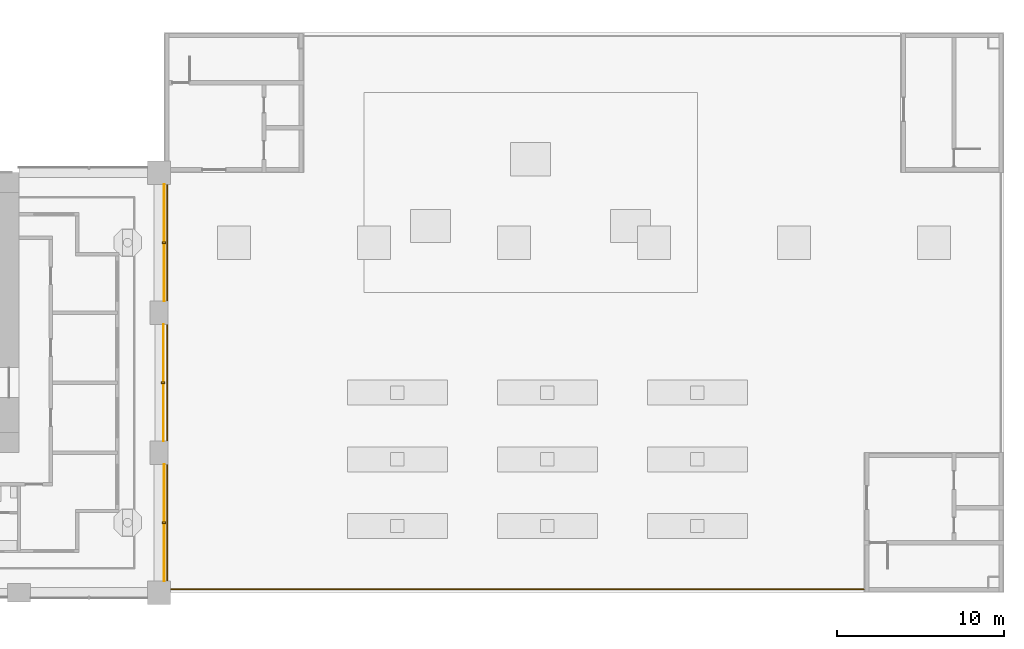
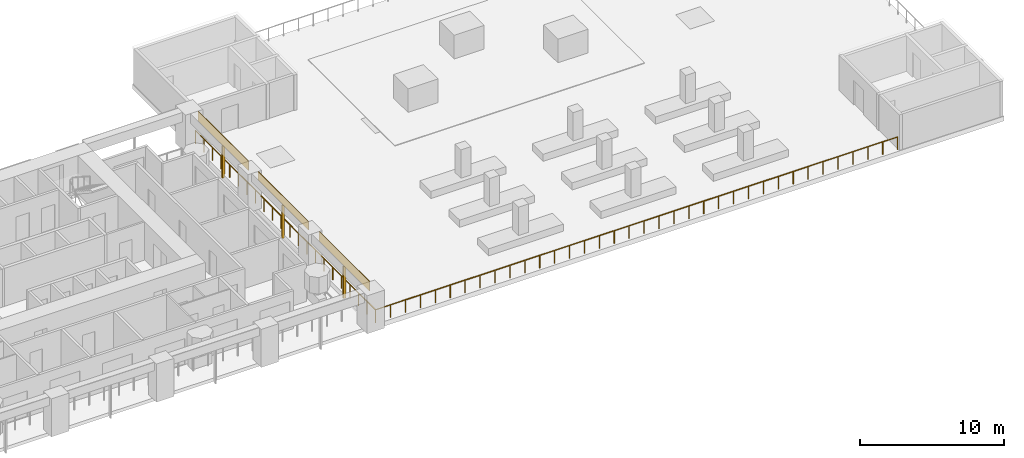
# One storey, part 19 of 23: 6 shading devices, 1 railing.
"""IFC4 building model written with IfcOpenShell, lengths in metres."""

from ifc_helpers import new_model, si_unit, direction, frame, origin, origin_2d, place, context, subcontext, project, spatial, rectangle, circle, extrude, material, layer, layer_set, material_profile, profile_set, type_object, element, save


model = new_model("IFC4")

# Units and contexts
model_context = context("Model", 3, precision=1e-05, world=origin(), true_north=direction((0.0, 1.0)))
body_context = subcontext(model_context, "Body", "Model", "MODEL_VIEW")
ifc_project = project(units=[si_unit("LENGTHUNIT", "METRE"), si_unit("AREAUNIT", "SQUARE_METRE"), si_unit("VOLUMEUNIT", "CUBIC_METRE"), si_unit("PLANEANGLEUNIT", "RADIAN"), si_unit("MASSUNIT", "GRAM", prefix="KILO")], contexts=[model_context])

# Site, building, storey
site_placement = place(None, origin())
site = spatial("IfcSite", under=ifc_project, at=site_placement, CompositionType="ELEMENT")
building_placement = place(site_placement, origin())
building = spatial("IfcBuilding", under=site, at=building_placement, Name="Vermilion Gate Residences", CompositionType="ELEMENT")
storey_placement = place(building_placement, frame((0.0, 0.0, 25.199951171875)))
storey = spatial("IfcBuildingStorey", under=building, at=storey_placement, Name="L04", CompositionType="ELEMENT", Elevation=25.199951171875)

# Shading devices
ifc_material_1 = material(Name="Perforated terracotta", Category="masonry")
ifc_layer = layer(ifc_material_1, 0.0400390625)
ifc_layer_set = layer_set([ifc_layer], Name="PERFORATED TERRACOTTA SCREEN 40")
shading_device_type_1 = type_object("IfcShadingDeviceType", Name="PERFORATED TERRACOTTA SCREEN 40", PredefinedType="SHUTTER", material=ifc_layer_set)
shading_device_1_placement = place(storey_placement, frame((67.52001953125, 4.199951171875, 2.419921875), z_axis=(0.0, 0.0, 1.0), x_axis=(0.0, 1.0, 0.0)))
element("IfcShadingDevice", 1, at=shading_device_1_placement, inside=storey, type_object=shading_device_type_1, Name="SCREEN", PredefinedType="SHUTTER", context=body_context, shape_type="SweptSolid", body=[
    extrude(rectangle(XDim=7.0, YDim=0.0400390625, at=origin_2d()), origin(), (0.0, 0.0, 1.0), 0.800048828125),
])
shading_device_2_placement = place(storey_placement, frame((67.469970703125, 12.60009765625, 2.52001953125), z_axis=(0.0, 0.0, 1.0), x_axis=(0.0, 1.0, 0.0)))
element("IfcShadingDevice", 2, at=shading_device_2_placement, inside=storey, type_object=shading_device_type_1, Name="SCREEN", PredefinedType="SHUTTER", context=body_context, shape_type="SweptSolid", body=[
    extrude(rectangle(XDim=7.0, YDim=0.0400390625, at=origin_2d()), origin(), (0.0, 0.0, 1.0), 0.699951171875),
])
shading_device_3_placement = place(storey_placement, frame((67.52001953125, 21.0, 2.419921875), z_axis=(0.0, 0.0, 1.0), x_axis=(0.0, 1.0, 0.0)))
element("IfcShadingDevice", 3, at=shading_device_3_placement, inside=storey, type_object=shading_device_type_1, Name="SCREEN", PredefinedType="SHUTTER", context=body_context, shape_type="SweptSolid", body=[
    extrude(rectangle(XDim=7.0, YDim=0.0400390625, at=origin_2d()), origin(), (0.0, 0.0, 1.0), 0.800048828125),
])

# Railing
ifc_material_2 = material(Name="Steel", Category="steel")
railing_type = type_object("IfcRailingType", Name="STEEL GUARD 1100 (MARKET HALL)", PredefinedType="GUARDRAIL", material=ifc_material_2)
railing_placement = place(storey_placement, frame((109.5, 0.199951171875, 0.0)))
element("IfcRailing", 4, at=railing_placement, inside=storey, type_object=railing_type, Name="Roof terrace guard 1", PredefinedType="GUARDRAIL", context=body_context, shape_type="SweptSolid", body=[
    extrude(circle(Radius=0.02490234375, at=origin_2d()), frame((0.0, 0.0, 1.0751953125), z_axis=(-1.0, 0.0, 0.0), x_axis=(0.0, -1.0, 0.0)), (0.0, 0.0, 1.0), 41.800048828125),
    extrude(circle(Radius=0.02490234375, at=origin_2d()), frame((-41.800048828125, 0.0, 1.0751953125), z_axis=(0.0, 1.0, 0.0), x_axis=(-1.0, 0.0, 0.0)), (0.0, 0.0, 1.0), 25.0),
    extrude(circle(Radius=0.02001953125, at=origin_2d()), origin(), (0.0, 0.0, 1.0), 1.050048828125),
    extrude(circle(Radius=0.02001953125, at=origin_2d()), frame((-1.1943359375, 0.0, 0.0)), (0.0, 0.0, 1.0), 1.050048828125),
    extrude(circle(Radius=0.02001953125, at=origin_2d()), frame((-2.388671875, 0.0, 0.0)), (0.0, 0.0, 1.0), 1.050048828125),
    extrude(circle(Radius=0.02001953125, at=origin_2d()), frame((-3.582763671875, 0.0, 0.0)), (0.0, 0.0, 1.0), 1.050048828125),
    extrude(circle(Radius=0.02001953125, at=origin_2d()), frame((-4.777099609375, 0.0, 0.0)), (0.0, 0.0, 1.0), 1.050048828125),
    extrude(circle(Radius=0.02001953125, at=origin_2d()), frame((-5.971435546875, 0.0, 0.0)), (0.0, 0.0, 1.0), 1.050048828125),
    extrude(circle(Radius=0.02001953125, at=origin_2d()), frame((-7.165771484375, 0.0, 0.0)), (0.0, 0.0, 1.0), 1.050048828125),
    extrude(circle(Radius=0.02001953125, at=origin_2d()), frame((-8.360107421875, 0.0, 0.0)), (0.0, 0.0, 1.0), 1.050048828125),
    extrude(circle(Radius=0.02001953125, at=origin_2d()), frame((-9.55419921875, 0.0, 0.0)), (0.0, 0.0, 1.0), 1.050048828125),
    extrude(circle(Radius=0.02001953125, at=origin_2d()), frame((-10.74853515625, 0.0, 0.0)), (0.0, 0.0, 1.0), 1.050048828125),
    extrude(circle(Radius=0.02001953125, at=origin_2d()), frame((-11.94287109375, 0.0, 0.0)), (0.0, 0.0, 1.0), 1.050048828125),
    extrude(circle(Radius=0.02001953125, at=origin_2d()), frame((-13.13720703125, 0.0, 0.0)), (0.0, 0.0, 1.0), 1.050048828125),
    extrude(circle(Radius=0.02001953125, at=origin_2d()), frame((-14.33154296875, 0.0, 0.0)), (0.0, 0.0, 1.0), 1.050048828125),
    extrude(circle(Radius=0.02001953125, at=origin_2d()), frame((-15.525634765625, 0.0, 0.0)), (0.0, 0.0, 1.0), 1.050048828125),
    extrude(circle(Radius=0.02001953125, at=origin_2d()), frame((-16.719970703125, 0.0, 0.0)), (0.0, 0.0, 1.0), 1.050048828125),
    extrude(circle(Radius=0.02001953125, at=origin_2d()), frame((-17.914306640625, 0.0, 0.0)), (0.0, 0.0, 1.0), 1.050048828125),
    extrude(circle(Radius=0.02001953125, at=origin_2d()), frame((-19.108642578125, 0.0, 0.0)), (0.0, 0.0, 1.0), 1.050048828125),
    extrude(circle(Radius=0.02001953125, at=origin_2d()), frame((-20.302978515625, 0.0, 0.0)), (0.0, 0.0, 1.0), 1.050048828125),
    extrude(circle(Radius=0.02001953125, at=origin_2d()), frame((-21.4970703125, 0.0, 0.0)), (0.0, 0.0, 1.0), 1.050048828125),
    extrude(circle(Radius=0.02001953125, at=origin_2d()), frame((-22.69140625, 0.0, 0.0)), (0.0, 0.0, 1.0), 1.050048828125),
    extrude(circle(Radius=0.02001953125, at=origin_2d()), frame((-23.8857421875, 0.0, 0.0)), (0.0, 0.0, 1.0), 1.050048828125),
    extrude(circle(Radius=0.02001953125, at=origin_2d()), frame((-25.080078125, 0.0, 0.0)), (0.0, 0.0, 1.0), 1.050048828125),
    extrude(circle(Radius=0.02001953125, at=origin_2d()), frame((-26.2744140625, 0.0, 0.0)), (0.0, 0.0, 1.0), 1.050048828125),
    extrude(circle(Radius=0.02001953125, at=origin_2d()), frame((-27.468505859375, 0.0, 0.0)), (0.0, 0.0, 1.0), 1.050048828125),
    extrude(circle(Radius=0.02001953125, at=origin_2d()), frame((-28.662841796875, 0.0, 0.0)), (0.0, 0.0, 1.0), 1.050048828125),
    extrude(circle(Radius=0.02001953125, at=origin_2d()), frame((-29.857177734375, 0.0, 0.0)), (0.0, 0.0, 1.0), 1.050048828125),
    extrude(circle(Radius=0.02001953125, at=origin_2d()), frame((-31.051513671875, 0.0, 0.0)), (0.0, 0.0, 1.0), 1.050048828125),
    extrude(circle(Radius=0.02001953125, at=origin_2d()), frame((-32.245849609375, 0.0, 0.0)), (0.0, 0.0, 1.0), 1.050048828125),
    extrude(circle(Radius=0.02001953125, at=origin_2d()), frame((-33.43994140625, 0.0, 0.0)), (0.0, 0.0, 1.0), 1.050048828125),
    extrude(circle(Radius=0.02001953125, at=origin_2d()), frame((-34.63427734375, 0.0, 0.0)), (0.0, 0.0, 1.0), 1.050048828125),
    extrude(circle(Radius=0.02001953125, at=origin_2d()), frame((-35.82861328125, 0.0, 0.0)), (0.0, 0.0, 1.0), 1.050048828125),
    extrude(circle(Radius=0.02001953125, at=origin_2d()), frame((-37.02294921875, 0.0, 0.0)), (0.0, 0.0, 1.0), 1.050048828125),
    extrude(circle(Radius=0.02001953125, at=origin_2d()), frame((-38.21728515625, 0.0, 0.0)), (0.0, 0.0, 1.0), 1.050048828125),
    extrude(circle(Radius=0.02001953125, at=origin_2d()), frame((-39.411376953125, 0.0, 0.0)), (0.0, 0.0, 1.0), 1.050048828125),
    extrude(circle(Radius=0.02001953125, at=origin_2d()), frame((-40.605712890625, 0.0, 0.0)), (0.0, 0.0, 1.0), 1.050048828125),
    extrude(circle(Radius=0.02001953125, at=origin_2d()), frame((-41.800048828125, 0.0, 0.0)), (0.0, 0.0, 1.0), 1.050048828125),
    extrude(circle(Radius=0.02001953125, at=origin_2d()), frame((-41.800048828125, 1.1904296875, 0.0)), (0.0, 0.0, 1.0), 1.050048828125),
    extrude(circle(Radius=0.02001953125, at=origin_2d()), frame((-41.800048828125, 2.380859375, 0.0)), (0.0, 0.0, 1.0), 1.050048828125),
    extrude(circle(Radius=0.02001953125, at=origin_2d()), frame((-41.800048828125, 3.571533203125, 0.0)), (0.0, 0.0, 1.0), 1.050048828125),
    extrude(circle(Radius=0.02001953125, at=origin_2d()), frame((-41.800048828125, 4.761962890625, 0.0)), (0.0, 0.0, 1.0), 1.050048828125),
    extrude(circle(Radius=0.02001953125, at=origin_2d()), frame((-41.800048828125, 5.952392578125, 0.0)), (0.0, 0.0, 1.0), 1.050048828125),
    extrude(circle(Radius=0.02001953125, at=origin_2d()), frame((-41.800048828125, 7.142822265625, 0.0)), (0.0, 0.0, 1.0), 1.050048828125),
    extrude(circle(Radius=0.02001953125, at=origin_2d()), frame((-41.800048828125, 8.333251953125, 0.0)), (0.0, 0.0, 1.0), 1.050048828125),
    extrude(circle(Radius=0.02001953125, at=origin_2d()), frame((-41.800048828125, 9.52392578125, 0.0)), (0.0, 0.0, 1.0), 1.050048828125),
    extrude(circle(Radius=0.02001953125, at=origin_2d()), frame((-41.800048828125, 10.71435546875, 0.0)), (0.0, 0.0, 1.0), 1.050048828125),
    extrude(circle(Radius=0.02001953125, at=origin_2d()), frame((-41.800048828125, 11.90478515625, 0.0)), (0.0, 0.0, 1.0), 1.050048828125),
    extrude(circle(Radius=0.02001953125, at=origin_2d()), frame((-41.800048828125, 13.09521484375, 0.0)), (0.0, 0.0, 1.0), 1.050048828125),
    extrude(circle(Radius=0.02001953125, at=origin_2d()), frame((-41.800048828125, 14.28564453125, 0.0)), (0.0, 0.0, 1.0), 1.050048828125),
    extrude(circle(Radius=0.02001953125, at=origin_2d()), frame((-41.800048828125, 15.47607421875, 0.0)), (0.0, 0.0, 1.0), 1.050048828125),
    extrude(circle(Radius=0.02001953125, at=origin_2d()), frame((-41.800048828125, 16.666748046875, 0.0)), (0.0, 0.0, 1.0), 1.050048828125),
    extrude(circle(Radius=0.02001953125, at=origin_2d()), frame((-41.800048828125, 17.857177734375, 0.0)), (0.0, 0.0, 1.0), 1.050048828125),
    extrude(circle(Radius=0.02001953125, at=origin_2d()), frame((-41.800048828125, 19.047607421875, 0.0)), (0.0, 0.0, 1.0), 1.050048828125),
    extrude(circle(Radius=0.02001953125, at=origin_2d()), frame((-41.800048828125, 20.238037109375, 0.0)), (0.0, 0.0, 1.0), 1.050048828125),
    extrude(circle(Radius=0.02001953125, at=origin_2d()), frame((-41.800048828125, 21.428466796875, 0.0)), (0.0, 0.0, 1.0), 1.050048828125),
    extrude(circle(Radius=0.02001953125, at=origin_2d()), frame((-41.800048828125, 22.619140625, 0.0)), (0.0, 0.0, 1.0), 1.050048828125),
    extrude(circle(Radius=0.02001953125, at=origin_2d()), frame((-41.800048828125, 23.8095703125, 0.0)), (0.0, 0.0, 1.0), 1.050048828125),
    extrude(circle(Radius=0.02001953125, at=origin_2d()), frame((-41.800048828125, 25.0, 0.0)), (0.0, 0.0, 1.0), 1.050048828125),
])

# Shading devices
ifc_material_3 = material(Name="Extruded terracotta", Category="masonry")
ifc_material_profile = material_profile(ifc_material_3, rectangle(XDim=0.199951171875, YDim=0.10009765625, at=origin_2d()), Name="BAGUETTE 100 X 200")
ifc_profile_set = profile_set([ifc_material_profile], Name="Extruded terracotta")
shading_device_type_2 = type_object("IfcShadingDeviceType", Name="TERRACOTTA BAGUETTE 100 X 200", PredefinedType="JALOUSIE", material=ifc_profile_set)
shading_device_4_placement = place(storey_placement, frame((67.5, 4.199951171875, -0.280029296875), z_axis=(0.0, 0.0, 1.0), x_axis=(-1.0, 0.0, 0.0)))
element("IfcShadingDevice", 5, at=shading_device_4_placement, inside=storey, type_object=shading_device_type_2, Name="BAGUETTE", PredefinedType="JALOUSIE", context=body_context, shape_type="SweptSolid", body=[
    extrude(rectangle(XDim=0.199951171875, YDim=0.10009765625, at=origin_2d()), origin(), (0.0, 0.0, 1.0), 2.7001953125),
])
shading_device_5_placement = place(storey_placement, frame((67.449951171875, 12.60009765625, -0.280029296875), z_axis=(0.0, 0.0, 1.0), x_axis=(-1.0, 0.0, 0.0)))
element("IfcShadingDevice", 6, at=shading_device_5_placement, inside=storey, type_object=shading_device_type_2, Name="BAGUETTE", PredefinedType="JALOUSIE", context=body_context, shape_type="SweptSolid", body=[
    extrude(rectangle(XDim=0.199951171875, YDim=0.10009765625, at=origin_2d()), origin(), (0.0, 0.0, 1.0), 2.800048828125),
])
shading_device_6_placement = place(storey_placement, frame((67.5, 21.0, -0.280029296875), z_axis=(0.0, 0.0, 1.0), x_axis=(-1.0, 0.0, 0.0)))
element("IfcShadingDevice", 7, at=shading_device_6_placement, inside=storey, type_object=shading_device_type_2, Name="BAGUETTE", PredefinedType="JALOUSIE", context=body_context, shape_type="SweptSolid", body=[
    extrude(rectangle(XDim=0.199951171875, YDim=0.10009765625, at=origin_2d()), origin(), (0.0, 0.0, 1.0), 2.7001953125),
])

save(model, "model.ifc")
